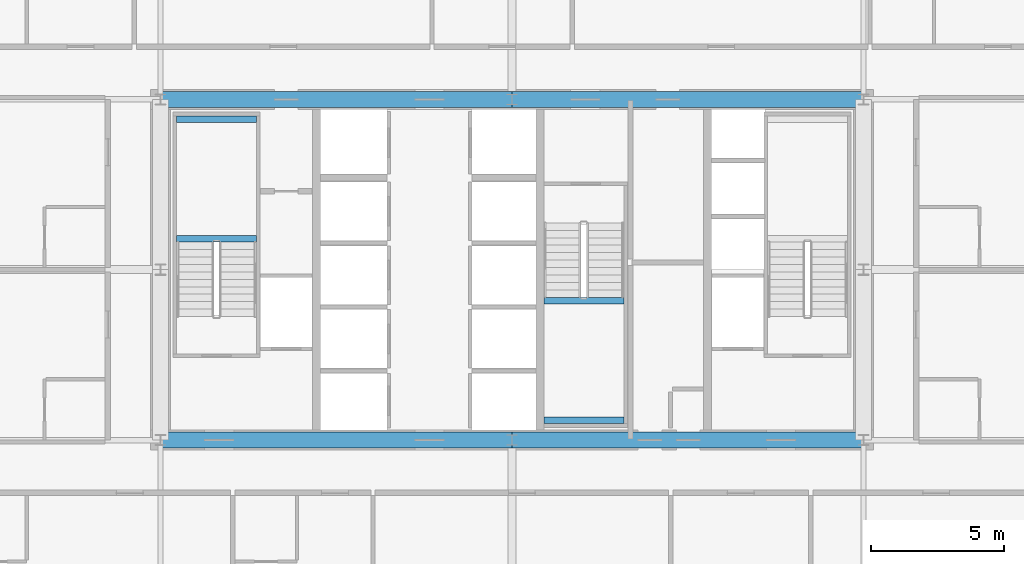
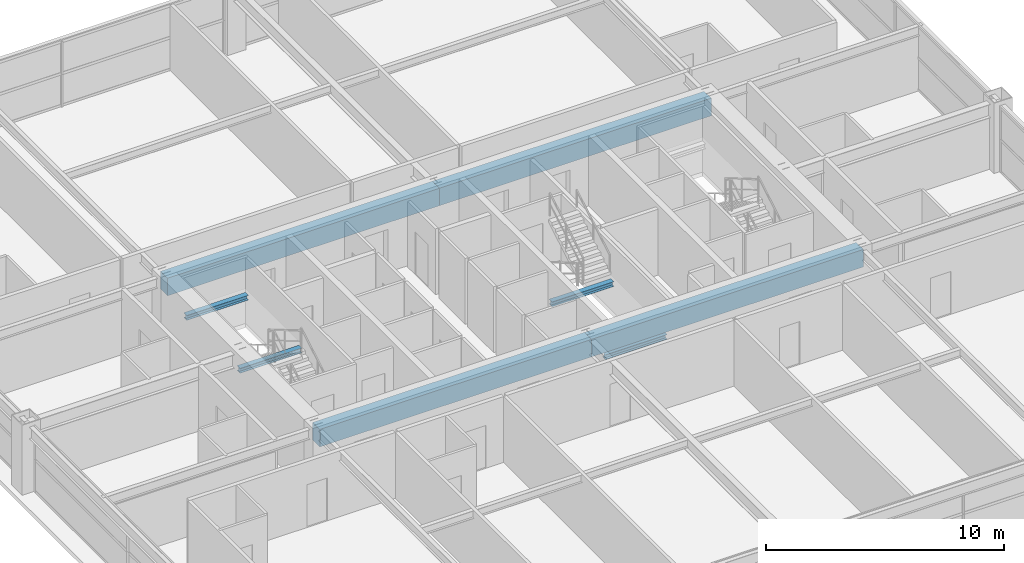
# One storey, part 13 of 39: 8 beams.
"""IFC4 building model written with IfcOpenShell, lengths in metres."""

from ifc_helpers import new_model, si_unit, direction, frame, origin, origin_2d, place, context, subcontext, project, spatial, rectangle, i_section, extrude, source, transform, mapped, material, material_profile, profile_set, type_object, element, save


model = new_model("IFC4")

# Units and contexts
model_context = context("Model", 3, precision=1e-05, world=origin(), true_north=direction((0.0, 1.0)))
body_context = subcontext(model_context, "Body", "Model", "MODEL_VIEW")
ifc_project = project(units=[si_unit("LENGTHUNIT", "METRE"), si_unit("AREAUNIT", "SQUARE_METRE"), si_unit("VOLUMEUNIT", "CUBIC_METRE"), si_unit("PLANEANGLEUNIT", "RADIAN"), si_unit("MASSUNIT", "GRAM", prefix="KILO"), si_unit("THERMODYNAMICTEMPERATUREUNIT", "KELVIN"), si_unit("POWERUNIT", "WATT")], contexts=[model_context])

# Site, building, storey
site_placement = place(None, origin())
site = spatial("IfcSite", under=ifc_project, at=site_placement, CompositionType="ELEMENT")
building_placement = place(site_placement, origin())
building = spatial("IfcBuilding", under=site, at=building_placement, Name="Yuzanri Waterfront Tower", CompositionType="ELEMENT")
storey_placement = place(building_placement, frame((0.0, 0.0, 141.60009765625)))
storey = spatial("IfcBuildingStorey", under=building, at=storey_placement, Name="L37", CompositionType="ELEMENT", Elevation=141.60009765625)

# Beams
ifc_material_1 = material(Name="Concrete C60", Category="concrete")
ifc_material_profile_1 = material_profile(ifc_material_1, rectangle(XDim=0.60009765625, YDim=0.89990234375, at=origin_2d()), Name="RC 600x900")
ifc_profile_set_1 = profile_set([ifc_material_profile_1], Name="Concrete C60")
beam_type_1 = type_object("IfcBeamType", Name="Core Coupling Lintel Concrete C60 600x900", PredefinedType="LINTEL", material=ifc_profile_set_1)
shared_shape_1 = source(origin(), body_context, "Body", "SweptSolid", [
    extrude(rectangle(XDim=0.60009765625, YDim=0.89990234375, at=origin_2d()), origin(), (0.0, 0.0, 1.0), 13.199951171875),
])
for number, where, z_axis, x_axis, name in (
    (1, (23.800048828125, 19.39990234375, 2.929931640625), (1.0, 0.0, 0.0), (0.0, 1.0, 0.0), "L37 Core Tie Beam CS1"),
    (2, (37.0, 19.39990234375, 2.929931640625), (1.0, 0.0, 0.0), (0.0, 1.0, 0.0), "L37 Core Tie Beam CS2"),
    (3, (23.800048828125, 32.199951171875, 2.929931640625), (1.0, 0.0, 0.0), (0.0, 1.0, 0.0), "L37 Core Tie Beam CN1"),
    (4, (37.0, 32.199951171875, 2.929931640625), (1.0, 0.0, 0.0), (0.0, 1.0, 0.0), "L37 Core Tie Beam CN2"),
):
    element("IfcBeam", number, at=place(storey_placement, frame(where, z_axis=z_axis, x_axis=x_axis)), inside=storey, type_object=beam_type_1, Name=name, PredefinedType="LINTEL", context=body_context, shape_type="MappedRepresentation", body=[
        mapped(shared_shape_1, transform((0.0, 0.0, 0.0), scale=1.0)),
    ])
ifc_material_2 = material(Name="Steel Q355B", Category="steel")
ifc_material_profile_2 = material_profile(ifc_material_2, i_section(OverallWidth=0.25, OverallDepth=0.25, WebThickness=0.009033203125, FlangeThickness=0.013916015625, at=origin_2d()), Name="HW 250x250x9x14")
ifc_profile_set_2 = profile_set([ifc_material_profile_2], Name="Steel Q355B")
beam_type_2 = type_object("IfcBeamType", Name="Stair Landing Support Beam Q355B HW 250x250", PredefinedType="BEAM", material=ifc_profile_set_2)
shared_shape_2 = source(origin(), body_context, "Body", "SweptSolid", [
    extrude(i_section(OverallWidth=0.25, OverallDepth=0.25, WebThickness=0.009033203125, FlangeThickness=0.013916015625, at=origin_2d()), origin(), (0.0, 0.0, 1.0), 3.0),
])
for number, where, z_axis, x_axis, name in (
    (5, (24.39990234375, 26.969970703125, 1.474853515625), (1.0, 0.0, 0.0), (0.0, 1.0, 0.0), "L37 Stair Landing Support Beam ST-01-L37-L1-1"),
    (6, (24.39990234375, 31.449951171875, 1.474853515625), (1.0, 0.0, 0.0), (0.0, 1.0, 0.0), "L37 Stair Landing Support Beam ST-01-L37-L1-2"),
    (7, (38.199951171875, 20.14990234375, 1.474853515625), (1.0, 0.0, 0.0), (0.0, 1.0, 0.0), "L37 Stair Landing Support Beam ST-03-L37-L1-1"),
    (8, (38.199951171875, 24.6298828125, 1.474853515625), (1.0, 0.0, 0.0), (0.0, 1.0, 0.0), "L37 Stair Landing Support Beam ST-03-L37-L1-2"),
):
    element("IfcBeam", number, at=place(storey_placement, frame(where, z_axis=z_axis, x_axis=x_axis)), inside=storey, type_object=beam_type_2, Name=name, PredefinedType="BEAM", context=body_context, shape_type="MappedRepresentation", body=[
        mapped(shared_shape_2, transform((0.0, 0.0, 0.0), scale=1.0)),
    ])

save(model, "model.ifc")
